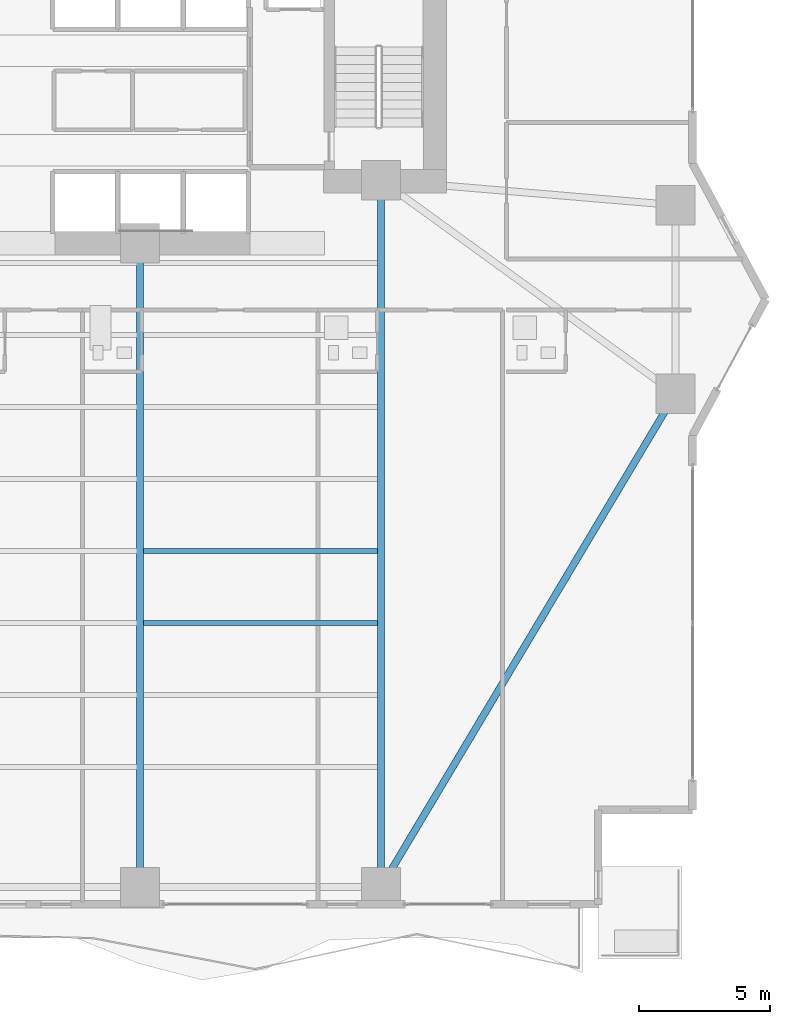
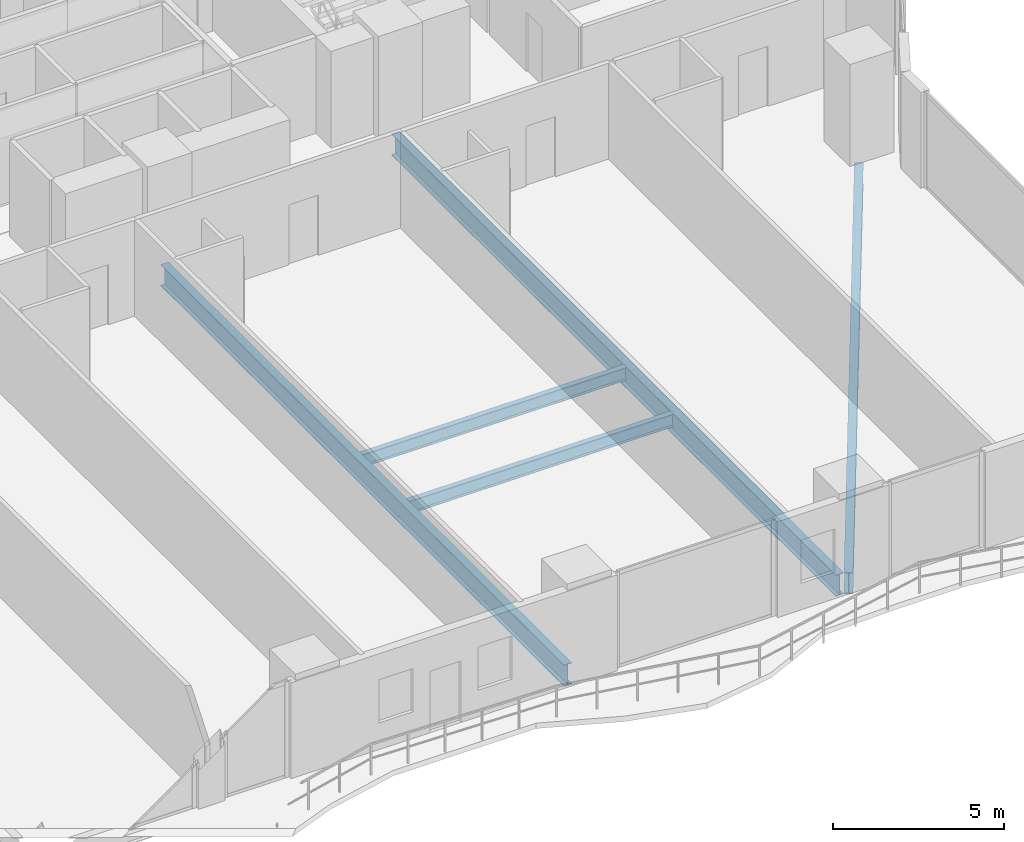
# One storey, part 9 of 29: 5 beams.
"""IFC4 building model written with IfcOpenShell, lengths in metres."""

from ifc_helpers import new_model, si_unit, direction, frame, origin, origin_2d, place, context, subcontext, project, spatial, i_section, extrude, material, material_profile, profile_set, type_object, element, save


model = new_model("IFC4")

# Units and contexts
model_context = context("Model", 3, precision=1e-05, world=origin(), true_north=direction((0.0, 1.0)))
body_context = subcontext(model_context, "Body", "Model", "MODEL_VIEW")
ifc_project = project(units=[si_unit("LENGTHUNIT", "METRE"), si_unit("AREAUNIT", "SQUARE_METRE"), si_unit("VOLUMEUNIT", "CUBIC_METRE"), si_unit("PLANEANGLEUNIT", "RADIAN"), si_unit("MASSUNIT", "GRAM", prefix="KILO")], contexts=[model_context])

# Site, building, storey
site_placement = place(None, origin())
site = spatial("IfcSite", under=ifc_project, at=site_placement, CompositionType="ELEMENT")
building_placement = place(site_placement, origin())
building = spatial("IfcBuilding", under=site, at=building_placement, Name="Zuhayl Quay Hotel", CompositionType="ELEMENT")
storey_placement = place(building_placement, frame((0.0, 0.0, 45.85009765625)))
storey = spatial("IfcBuildingStorey", under=building, at=storey_placement, Name="L10", CompositionType="ELEMENT", Elevation=45.85009765625)

# Beams
ifc_material = material(Name="Steel ASTM A992 Grade 50", Category="steel")
ifc_material_profile_1 = material_profile(ifc_material, i_section(OverallWidth=0.26708984375, OverallDepth=0.761962890625, WebThickness=0.014404296875, FlangeThickness=0.021484375, at=origin_2d()), Name="W30X116")
ifc_profile_set_1 = profile_set([ifc_material_profile_1], Name="Steel ASTM A992 Grade 50")
beam_type_1 = type_object("IfcBeamType", Name="BM_B1_W30X116", PredefinedType="BEAM", material=ifc_profile_set_1)
beam_1_placement = place(storey_placement, frame((14.05615234375, -22.020751953125, -0.60107421875), z_axis=(0.512482593247, 0.85869761361, 0.0), x_axis=(-0.85869761361, 0.512482593247, 0.0)))
element("IfcBeam", 1, at=beam_1_placement, inside=storey, type_object=beam_type_1, Name="L10 Floor Beam RG_L10_04", PredefinedType="BEAM", context=body_context, shape_type="SweptSolid", body=[
    extrude(i_section(OverallWidth=0.26708984375, OverallDepth=0.761962890625, WebThickness=0.014404296875, FlangeThickness=0.021484375, at=origin_2d()), origin(), (0.0, 0.0, 1.0), 20.9521484375),
])
beam_2_placement = place(storey_placement, frame((4.60009765625, -21.949951171875, -0.60107421875), z_axis=(0.0, 1.0, 0.0), x_axis=(-1.0, 0.0, 0.0)))
element("IfcBeam", 2, at=beam_2_placement, inside=storey, type_object=beam_type_1, Name="L10 Floor Beam FG_S_L10_3", PredefinedType="BEAM", context=body_context, shape_type="SweptSolid", body=[
    extrude(i_section(OverallWidth=0.26708984375, OverallDepth=0.761962890625, WebThickness=0.014404296875, FlangeThickness=0.021484375, at=origin_2d()), origin(), (0.0, 0.0, 1.0), 23.64990234375),
])
beam_3_placement = place(storey_placement, frame((13.800048828125, -21.949951171875, -0.60107421875), z_axis=(0.0, 1.0, 0.0), x_axis=(-1.0, 0.0, 0.0)))
element("IfcBeam", 3, at=beam_3_placement, inside=storey, type_object=beam_type_1, Name="L10 Floor Beam FG_S_L10_4", PredefinedType="BEAM", context=body_context, shape_type="SweptSolid", body=[
    extrude(i_section(OverallWidth=0.26708984375, OverallDepth=0.761962890625, WebThickness=0.014404296875, FlangeThickness=0.021484375, at=origin_2d()), origin(), (0.0, 0.0, 1.0), 26.050048828125),
])
ifc_material_profile_2 = material_profile(ifc_material, i_section(OverallWidth=0.18994140625, OverallDepth=0.45703125, WebThickness=0.009033203125, FlangeThickness=0.014404296875, at=origin_2d()), Name="W18X50")
ifc_profile_set_2 = profile_set([ifc_material_profile_2], Name="Steel ASTM A992 Grade 50")
beam_type_2 = type_object("IfcBeamType", Name="BM_J2_W18X50", PredefinedType="JOIST", material=ifc_profile_set_2)
for number, where, z_axis, x_axis, name in (
    (4, (4.7255859375, -12.35009765625, -0.448486328125), (1.0, 0.0, 0.0), (0.0, 1.0, 0.0), "L10 Floor Beam FJ_L10_5_3"),
    (5, (4.7255859375, -9.60009765625, -0.448486328125), (1.0, 0.0, 0.0), (0.0, 1.0, 0.0), "L10 Floor Beam FJ_L10_6_3"),
):
    element("IfcBeam", number, at=place(storey_placement, frame(where, z_axis=z_axis, x_axis=x_axis)), inside=storey, type_object=beam_type_2, Name=name, PredefinedType="JOIST", context=body_context, shape_type="SweptSolid", body=[
        extrude(i_section(OverallWidth=0.18994140625, OverallDepth=0.45703125, WebThickness=0.009033203125, FlangeThickness=0.014404296875, at=origin_2d()), origin(), (0.0, 0.0, 1.0), 8.948974609375),
    ])

save(model, "model.ifc")
